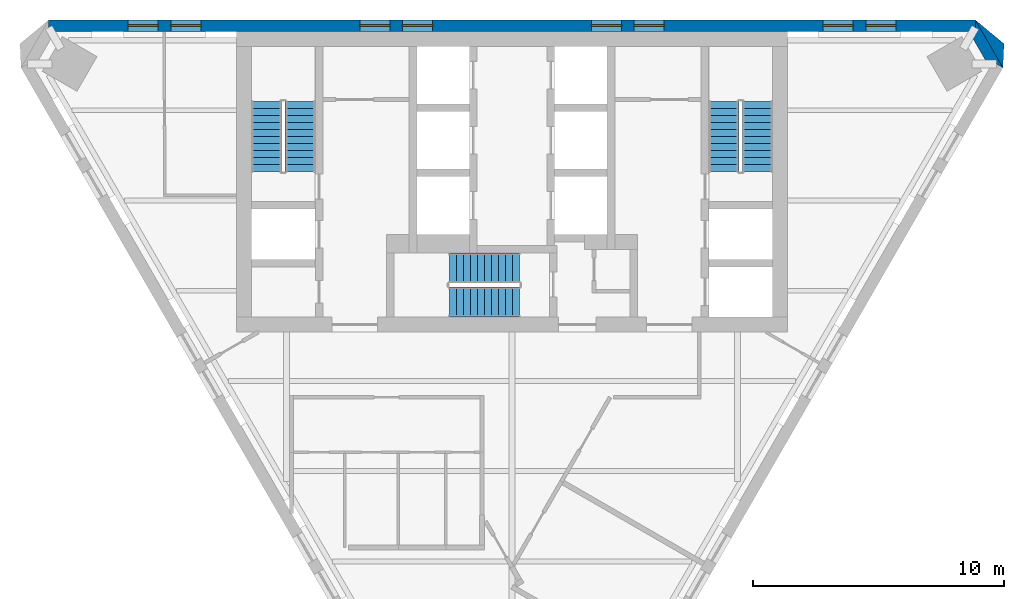
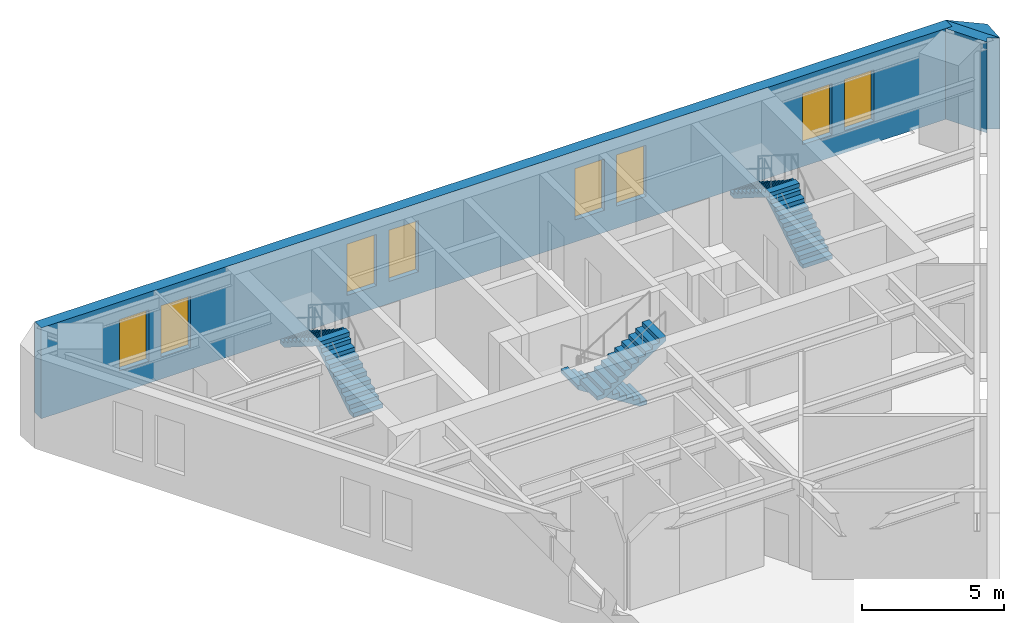
# One storey, part 5 of 6: 8 windows, 6 stair flights, 3 walls, 8 openings, 3 elements without a shape of their own.
"""IFC4 building model written with IfcOpenShell, lengths in metres."""

from ifc_helpers import new_model, si_unit, direction, frame, frame_2d, origin, place, context, subcontext, project, spatial, polyline, rectangle, outline, extrude, material, layer, layer_set, type_object, element, fill, aggregate, save


model = new_model("IFC4")

# Units and contexts
model_context = context("Model", 3, precision=1e-05, world=origin(), true_north=direction((0.0, 1.0)))
body_context = subcontext(model_context, "Body", "Model", "MODEL_VIEW")
ifc_project = project(units=[si_unit("LENGTHUNIT", "METRE"), si_unit("AREAUNIT", "SQUARE_METRE"), si_unit("VOLUMEUNIT", "CUBIC_METRE"), si_unit("PLANEANGLEUNIT", "RADIAN"), si_unit("MASSUNIT", "GRAM", prefix="KILO")], contexts=[model_context])

# Site, building, storey
site_placement = place(None, origin())
site = spatial("IfcSite", under=ifc_project, at=site_placement, CompositionType="ELEMENT")
building_placement = place(site_placement, origin())
building = spatial("IfcBuilding", under=site, at=building_placement, Name="Aloe Facet Convention Tower", CompositionType="ELEMENT")
storey_placement = place(building_placement, frame((0.0, 0.0, 266.0)))
storey = spatial("IfcBuildingStorey", under=building, at=storey_placement, Name="L65", CompositionType="ELEMENT", Elevation=266.0)

# Walls
ifc_material_1 = material(Name="Precast concrete C40/50", Category="concrete")
ifc_layer_1 = layer(ifc_material_1, 0.449951171875)
ifc_layer_set_1 = layer_set([ifc_layer_1], Name="EV-WALL-PIER")
wall_type_1 = type_object("IfcWallType", Name="EV-WALL-PIER", PredefinedType="SOLIDWALL", material=ifc_layer_set_1)
wall_1_placement = place(storey_placement, frame((0.0, 0.0, -0.14990234375)))
element("IfcWall", 1, at=wall_1_placement, inside=storey, type_object=wall_type_1, Name="EP-L65-C", PredefinedType="SOLIDWALL", context=body_context, shape_type="SweptSolid", body=[
    extrude(outline(polyline([(99.586181640625, 133.0947265625), (99.196533203125, 133.31982421875), (99.066650390625, 133.0947265625), (98.226318359375, 134.550048828125), (98.486083984375, 134.550048828125), (98.486083984375, 135.0), (99.586181640625, 133.0947265625)])), origin(), (0.0, 0.0, 1.0), 3.89990234375),
])
ifc_material_2 = material(Name="Precast concrete C40/50", Category="concrete")
ifc_layer_2 = layer(ifc_material_2, 3.947998046875)
ifc_layer_set_2 = layer_set([ifc_layer_2], Name="EV-WALL-SPINE")
wall_type_2 = type_object("IfcWallType", Name="EV-WALL-SPINE", PredefinedType="SOLIDWALL", material=ifc_layer_set_2)
wall_2_placement = place(storey_placement, frame((0.0, 0.0, -0.14990234375)))
element("IfcWall", 2, at=wall_2_placement, inside=storey, type_object=wall_type_2, Name="SP-NE-L65", PredefinedType="SOLIDWALL", context=body_context, shape_type="SweptSolid", body=[
    extrude(outline(polyline([(99.586181640625, 133.0947265625), (99.630126953125, 134.053955078125), (98.486083984375, 135.0), (99.586181640625, 133.0947265625)])), origin(), (0.0, 0.0, 1.0), 3.89990234375),
])

# Wall, openings, windows
ifc_material_3 = material(Name="Precast concrete C40/50", Category="concrete")
ifc_layer_3 = layer(ifc_material_3, 0.449951171875)
ifc_layer_set_3 = layer_set([ifc_layer_3], Name="EV-WALL-STONE")
wall_type_3 = type_object("IfcWallType", Name="EV-WALL-STONE", PredefinedType="SOLIDWALL", material=ifc_layer_set_3)
wall_3_placement = place(storey_placement, frame((98.486083984375, 134.77490234375, -0.14990234375), z_axis=(0.0, 0.0, 1.0), x_axis=(-1.0, 0.0, 0.0)))
wall_3 = element("IfcWall", 3, at=wall_3_placement, inside=storey, type_object=wall_type_3, Name="EW-L65-N01", PredefinedType="SOLIDWALL", context=body_context, shape_type="SweptSolid", body=[
    extrude(outline(polyline([(36.972412109375, 0.0), (36.972412109375, 3.89990234375), (0.0, 3.89990234375), (0.0, 0.0), (36.972412109375, 0.0)])), frame((0.0, 0.22509765625, 0.0), z_axis=(0.0, -1.0, 0.0), x_axis=(1.0, 0.0, 0.0)), (0.0, 0.0, 1.0), 0.449951171875),
])
opening_1_placement = place(wall_3_placement, frame((3.171630859375, 0.0, 0.949951171875)))
opening_1 = element("IfcOpeningElement", 4, at=opening_1_placement, cuts=wall_3, Name="Opening W-L65-N01", PredefinedType="OPENING", context=body_context, shape_type="SweptSolid", body=[
    extrude(rectangle(XDim=1.199951171875, YDim=2.199951171875, at=frame_2d((0.60009765625, 1.10009765625))), frame((0.0, 0.23486328125, 0.0), z_axis=(0.0, -1.0, 0.0), x_axis=(1.0, 0.0, 0.0)), (0.0, 0.0, 1.0), 0.469970703125),
])
opening_2_placement = place(wall_3_placement, frame((4.87158203125, 0.0, 0.949951171875)))
opening_2 = element("IfcOpeningElement", 5, at=opening_2_placement, cuts=wall_3, Name="Opening W-L65-N02", PredefinedType="OPENING", context=body_context, shape_type="SweptSolid", body=[
    extrude(rectangle(XDim=1.199951171875, YDim=2.199951171875, at=frame_2d((0.60009765625, 1.10009765625))), frame((0.0, 0.23486328125, 0.0), z_axis=(0.0, -1.0, 0.0), x_axis=(1.0, 0.0, 0.0)), (0.0, 0.0, 1.0), 0.469970703125),
])
opening_3_placement = place(wall_3_placement, frame((12.41455078125, 0.0, 0.949951171875)))
opening_3 = element("IfcOpeningElement", 6, at=opening_3_placement, cuts=wall_3, Name="Opening W-L65-N03", PredefinedType="OPENING", context=body_context, shape_type="SweptSolid", body=[
    extrude(rectangle(XDim=1.199951171875, YDim=2.199951171875, at=frame_2d((0.60009765625, 1.10009765625))), frame((0.0, 0.23486328125, 0.0), z_axis=(0.0, -1.0, 0.0), x_axis=(1.0, 0.0, 0.0)), (0.0, 0.0, 1.0), 0.469970703125),
])
opening_4_placement = place(wall_3_placement, frame((14.114501953125, 0.0, 0.949951171875)))
opening_4 = element("IfcOpeningElement", 7, at=opening_4_placement, cuts=wall_3, Name="Opening W-L65-N04", PredefinedType="OPENING", context=body_context, shape_type="SweptSolid", body=[
    extrude(rectangle(XDim=1.199951171875, YDim=2.199951171875, at=frame_2d((0.60009765625, 1.10009765625))), frame((0.0, 0.23486328125, 0.0), z_axis=(0.0, -1.0, 0.0), x_axis=(1.0, 0.0, 0.0)), (0.0, 0.0, 1.0), 0.469970703125),
])
opening_5_placement = place(wall_3_placement, frame((21.65771484375, 0.0, 0.949951171875)))
opening_5 = element("IfcOpeningElement", 8, at=opening_5_placement, cuts=wall_3, Name="Opening W-L65-N05", PredefinedType="OPENING", context=body_context, shape_type="SweptSolid", body=[
    extrude(rectangle(XDim=1.199951171875, YDim=2.199951171875, at=frame_2d((0.60009765625, 1.10009765625))), frame((0.0, 0.23486328125, 0.0), z_axis=(0.0, -1.0, 0.0), x_axis=(1.0, 0.0, 0.0)), (0.0, 0.0, 1.0), 0.469970703125),
])
opening_6_placement = place(wall_3_placement, frame((23.357666015625, 0.0, 0.949951171875)))
opening_6 = element("IfcOpeningElement", 9, at=opening_6_placement, cuts=wall_3, Name="Opening W-L65-N06", PredefinedType="OPENING", context=body_context, shape_type="SweptSolid", body=[
    extrude(rectangle(XDim=1.199951171875, YDim=2.199951171875, at=frame_2d((0.60009765625, 1.10009765625))), frame((0.0, 0.23486328125, 0.0), z_axis=(0.0, -1.0, 0.0), x_axis=(1.0, 0.0, 0.0)), (0.0, 0.0, 1.0), 0.469970703125),
])
opening_7_placement = place(wall_3_placement, frame((30.90087890625, 0.0, 0.949951171875)))
opening_7 = element("IfcOpeningElement", 10, at=opening_7_placement, cuts=wall_3, Name="Opening W-L65-N07", PredefinedType="OPENING", context=body_context, shape_type="SweptSolid", body=[
    extrude(rectangle(XDim=1.199951171875, YDim=2.199951171875, at=frame_2d((0.60009765625, 1.10009765625))), frame((0.0, 0.23486328125, 0.0), z_axis=(0.0, -1.0, 0.0), x_axis=(1.0, 0.0, 0.0)), (0.0, 0.0, 1.0), 0.469970703125),
])
opening_8_placement = place(wall_3_placement, frame((32.600830078125, 0.0, 0.949951171875)))
opening_8 = element("IfcOpeningElement", 11, at=opening_8_placement, cuts=wall_3, Name="Opening W-L65-N08", PredefinedType="OPENING", context=body_context, shape_type="SweptSolid", body=[
    extrude(rectangle(XDim=1.199951171875, YDim=2.199951171875, at=frame_2d((0.60009765625, 1.10009765625))), frame((0.0, 0.23486328125, 0.0), z_axis=(0.0, -1.0, 0.0), x_axis=(1.0, 0.0, 0.0)), (0.0, 0.0, 1.0), 0.469970703125),
])
ifc_material_4 = material(Name="Aluminium frame, clear double glazing", Category="aluminium")
window_type = type_object("IfcWindowType", Name="EV-WIN-O12", PartitioningType="SINGLE_PANEL", PredefinedType="WINDOW", material=ifc_material_4)
window_1_placement = place(opening_1_placement, origin())
window_1 = element("IfcWindow", 12, at=window_1_placement, inside=storey, type_object=window_type, Name="W-L65-N01", OverallHeight=2.199951171875, OverallWidth=1.199951171875, PartitioningType="SINGLE_PANEL", PredefinedType="WINDOW", context=body_context, shape_type="SweptSolid", body=[
    extrude(rectangle(XDim=1.199951171875, YDim=2.199951171875, at=frame_2d((0.60009765625, 1.10009765625))), frame((0.0, 0.030029296875, 0.0), z_axis=(0.0, -1.0, 0.0), x_axis=(1.0, 0.0, 0.0)), (0.0, 0.0, 1.0), 0.06005859375),
])
fill(opening_1, window_1)
window_2_placement = place(opening_2_placement, origin())
window_2 = element("IfcWindow", 13, at=window_2_placement, inside=storey, type_object=window_type, Name="W-L65-N02", OverallHeight=2.199951171875, OverallWidth=1.199951171875, PartitioningType="SINGLE_PANEL", PredefinedType="WINDOW", context=body_context, shape_type="SweptSolid", body=[
    extrude(rectangle(XDim=1.199951171875, YDim=2.199951171875, at=frame_2d((0.60009765625, 1.10009765625))), frame((0.0, 0.030029296875, 0.0), z_axis=(0.0, -1.0, 0.0), x_axis=(1.0, 0.0, 0.0)), (0.0, 0.0, 1.0), 0.06005859375),
])
fill(opening_2, window_2)
window_3_placement = place(opening_3_placement, origin())
window_3 = element("IfcWindow", 14, at=window_3_placement, inside=storey, type_object=window_type, Name="W-L65-N03", OverallHeight=2.199951171875, OverallWidth=1.199951171875, PartitioningType="SINGLE_PANEL", PredefinedType="WINDOW", context=body_context, shape_type="SweptSolid", body=[
    extrude(rectangle(XDim=1.199951171875, YDim=2.199951171875, at=frame_2d((0.60009765625, 1.10009765625))), frame((0.0, 0.030029296875, 0.0), z_axis=(0.0, -1.0, 0.0), x_axis=(1.0, 0.0, 0.0)), (0.0, 0.0, 1.0), 0.06005859375),
])
fill(opening_3, window_3)
window_4_placement = place(opening_4_placement, origin())
window_4 = element("IfcWindow", 15, at=window_4_placement, inside=storey, type_object=window_type, Name="W-L65-N04", OverallHeight=2.199951171875, OverallWidth=1.199951171875, PartitioningType="SINGLE_PANEL", PredefinedType="WINDOW", context=body_context, shape_type="SweptSolid", body=[
    extrude(rectangle(XDim=1.199951171875, YDim=2.199951171875, at=frame_2d((0.60009765625, 1.10009765625))), frame((0.0, 0.030029296875, 0.0), z_axis=(0.0, -1.0, 0.0), x_axis=(1.0, 0.0, 0.0)), (0.0, 0.0, 1.0), 0.06005859375),
])
fill(opening_4, window_4)
window_5_placement = place(opening_5_placement, origin())
window_5 = element("IfcWindow", 16, at=window_5_placement, inside=storey, type_object=window_type, Name="W-L65-N05", OverallHeight=2.199951171875, OverallWidth=1.199951171875, PartitioningType="SINGLE_PANEL", PredefinedType="WINDOW", context=body_context, shape_type="SweptSolid", body=[
    extrude(rectangle(XDim=1.199951171875, YDim=2.199951171875, at=frame_2d((0.60009765625, 1.10009765625))), frame((0.0, 0.030029296875, 0.0), z_axis=(0.0, -1.0, 0.0), x_axis=(1.0, 0.0, 0.0)), (0.0, 0.0, 1.0), 0.06005859375),
])
fill(opening_5, window_5)
window_6_placement = place(opening_6_placement, origin())
window_6 = element("IfcWindow", 17, at=window_6_placement, inside=storey, type_object=window_type, Name="W-L65-N06", OverallHeight=2.199951171875, OverallWidth=1.199951171875, PartitioningType="SINGLE_PANEL", PredefinedType="WINDOW", context=body_context, shape_type="SweptSolid", body=[
    extrude(rectangle(XDim=1.199951171875, YDim=2.199951171875, at=frame_2d((0.60009765625, 1.10009765625))), frame((0.0, 0.030029296875, 0.0), z_axis=(0.0, -1.0, 0.0), x_axis=(1.0, 0.0, 0.0)), (0.0, 0.0, 1.0), 0.06005859375),
])
fill(opening_6, window_6)
window_7_placement = place(opening_7_placement, origin())
window_7 = element("IfcWindow", 18, at=window_7_placement, inside=storey, type_object=window_type, Name="W-L65-N07", OverallHeight=2.199951171875, OverallWidth=1.199951171875, PartitioningType="SINGLE_PANEL", PredefinedType="WINDOW", context=body_context, shape_type="SweptSolid", body=[
    extrude(rectangle(XDim=1.199951171875, YDim=2.199951171875, at=frame_2d((0.60009765625, 1.10009765625))), frame((0.0, 0.030029296875, 0.0), z_axis=(0.0, -1.0, 0.0), x_axis=(1.0, 0.0, 0.0)), (0.0, 0.0, 1.0), 0.06005859375),
])
fill(opening_7, window_7)
window_8_placement = place(opening_8_placement, origin())
window_8 = element("IfcWindow", 19, at=window_8_placement, inside=storey, type_object=window_type, Name="W-L65-N08", OverallHeight=2.199951171875, OverallWidth=1.199951171875, PartitioningType="SINGLE_PANEL", PredefinedType="WINDOW", context=body_context, shape_type="SweptSolid", body=[
    extrude(rectangle(XDim=1.199951171875, YDim=2.199951171875, at=frame_2d((0.60009765625, 1.10009765625))), frame((0.0, 0.030029296875, 0.0), z_axis=(0.0, -1.0, 0.0), x_axis=(1.0, 0.0, 0.0)), (0.0, 0.0, 1.0), 0.06005859375),
])
fill(opening_8, window_8)

# Stair, stair flights
ifc_material_5 = material(Name="Concrete C50/60", Category="concrete")
stair_type = type_object("IfcStairType", Name="CR-ST-22R", PredefinedType="HALF_TURN_STAIR", material=ifc_material_5)
stair_1_placement = place(storey_placement, origin())
stair_1 = element("IfcStair", 20, at=stair_1_placement, inside=storey, type_object=stair_type, Name="L65 Protected exit stair ST1", PredefinedType="HALF_TURN_STAIR")
ifc_material_6 = material(Name="Concrete C50/60", Category="concrete")
stair_flight_type = type_object("IfcStairFlightType", Name="CR-SFL-22R", PredefinedType="STRAIGHT", material=ifc_material_6)
stair_flight_1_placement = place(storey_placement, frame((71.550048828125, 128.949951171875, 0.0), z_axis=(0.0, 0.0, 1.0), x_axis=(0.0, 1.0, 0.0)))
stair_flight_1 = element("IfcStairFlight", 21, at=stair_flight_1_placement, type_object=stair_flight_type, Name="ST1 flight 1", NumberOfRisers=11, NumberOfTreads=10, PredefinedType="STRAIGHT", RiserHeight=0.177272727, TreadLength=0.28, context=body_context, shape_type="SweptSolid", body=[
    extrude(outline(polyline([(0.0, 0.0), (0.0, 0.17724609375), (0.280029296875, 0.17724609375), (0.280029296875, 0.3544921875), (0.56005859375, 0.3544921875), (0.56005859375, 0.53173828125), (0.840087890625, 0.53173828125), (0.840087890625, 0.708984375), (1.1201171875, 0.708984375), (1.1201171875, 0.886474609375), (1.39990234375, 0.886474609375), (1.39990234375, 1.063720703125), (1.679931640625, 1.063720703125), (1.679931640625, 1.240966796875), (1.9599609375, 1.240966796875), (1.9599609375, 1.418212890625), (2.239990234375, 1.418212890625), (2.239990234375, 1.595458984375), (2.52001953125, 1.595458984375), (2.52001953125, 1.772705078125), (2.800048828125, 1.772705078125), (2.800048828125, 1.949951171875), (2.800048828125, 1.59521484375), (0.2802734375, 0.0), (0.0, 0.0)])), frame((0.0, 0.60009765625, 0.0), z_axis=(0.0, -1.0, 0.0), x_axis=(1.0, 0.0, 0.0)), (0.0, 0.0, 1.0), 1.199951171875),
])
stair_flight_2_placement = place(storey_placement, frame((70.199951171875, 131.75, 1.949951171875), z_axis=(0.0, 0.0, 1.0), x_axis=(0.0, -1.0, 0.0)))
stair_flight_2 = element("IfcStairFlight", 22, at=stair_flight_2_placement, type_object=stair_flight_type, Name="ST1 flight 2", NumberOfRisers=11, NumberOfTreads=10, PredefinedType="STRAIGHT", RiserHeight=0.177272727, TreadLength=0.28, context=body_context, shape_type="SweptSolid", body=[
    extrude(outline(polyline([(0.0, 0.0), (0.0, 0.17724609375), (0.280029296875, 0.17724609375), (0.280029296875, 0.3544921875), (0.56005859375, 0.3544921875), (0.56005859375, 0.53173828125), (0.840087890625, 0.53173828125), (0.840087890625, 0.708984375), (1.1201171875, 0.708984375), (1.1201171875, 0.886474609375), (1.39990234375, 0.886474609375), (1.39990234375, 1.063720703125), (1.679931640625, 1.063720703125), (1.679931640625, 1.240966796875), (1.9599609375, 1.240966796875), (1.9599609375, 1.418212890625), (2.239990234375, 1.418212890625), (2.239990234375, 1.595458984375), (2.52001953125, 1.595458984375), (2.52001953125, 1.772705078125), (2.800048828125, 1.772705078125), (2.800048828125, 1.949951171875), (2.800048828125, 1.59521484375), (0.2802734375, 0.0), (0.0, 0.0)])), frame((0.0, 0.60009765625, 0.0), z_axis=(0.0, -1.0, 0.0), x_axis=(1.0, 0.0, 0.0)), (0.0, 0.0, 1.0), 1.199951171875),
])
aggregate(stair_1, [stair_flight_1, stair_flight_2])

stair_2_placement = place(storey_placement, origin())
stair_2 = element("IfcStair", 23, at=stair_2_placement, inside=storey, type_object=stair_type, Name="L65 Protected exit stair ST2", PredefinedType="HALF_TURN_STAIR")
stair_flight_3_placement = place(storey_placement, frame((89.800048828125, 128.949951171875, 0.0), z_axis=(0.0, 0.0, 1.0), x_axis=(0.0, 1.0, 0.0)))
stair_flight_3 = element("IfcStairFlight", 24, at=stair_flight_3_placement, type_object=stair_flight_type, Name="ST2 flight 1", NumberOfRisers=11, NumberOfTreads=10, PredefinedType="STRAIGHT", RiserHeight=0.177272727, TreadLength=0.28, context=body_context, shape_type="SweptSolid", body=[
    extrude(outline(polyline([(0.0, 0.0), (0.0, 0.17724609375), (0.280029296875, 0.17724609375), (0.280029296875, 0.3544921875), (0.56005859375, 0.3544921875), (0.56005859375, 0.53173828125), (0.840087890625, 0.53173828125), (0.840087890625, 0.708984375), (1.1201171875, 0.708984375), (1.1201171875, 0.886474609375), (1.39990234375, 0.886474609375), (1.39990234375, 1.063720703125), (1.679931640625, 1.063720703125), (1.679931640625, 1.240966796875), (1.9599609375, 1.240966796875), (1.9599609375, 1.418212890625), (2.239990234375, 1.418212890625), (2.239990234375, 1.595458984375), (2.52001953125, 1.595458984375), (2.52001953125, 1.772705078125), (2.800048828125, 1.772705078125), (2.800048828125, 1.949951171875), (2.800048828125, 1.59521484375), (0.2802734375, 0.0), (0.0, 0.0)])), frame((0.0, 0.60009765625, 0.0), z_axis=(0.0, -1.0, 0.0), x_axis=(1.0, 0.0, 0.0)), (0.0, 0.0, 1.0), 1.199951171875),
])
stair_flight_4_placement = place(storey_placement, frame((88.449951171875, 131.75, 1.949951171875), z_axis=(0.0, 0.0, 1.0), x_axis=(0.0, -1.0, 0.0)))
stair_flight_4 = element("IfcStairFlight", 25, at=stair_flight_4_placement, type_object=stair_flight_type, Name="ST2 flight 2", NumberOfRisers=11, NumberOfTreads=10, PredefinedType="STRAIGHT", RiserHeight=0.177272727, TreadLength=0.28, context=body_context, shape_type="SweptSolid", body=[
    extrude(outline(polyline([(0.0, 0.0), (0.0, 0.17724609375), (0.280029296875, 0.17724609375), (0.280029296875, 0.3544921875), (0.56005859375, 0.3544921875), (0.56005859375, 0.53173828125), (0.840087890625, 0.53173828125), (0.840087890625, 0.708984375), (1.1201171875, 0.708984375), (1.1201171875, 0.886474609375), (1.39990234375, 0.886474609375), (1.39990234375, 1.063720703125), (1.679931640625, 1.063720703125), (1.679931640625, 1.240966796875), (1.9599609375, 1.240966796875), (1.9599609375, 1.418212890625), (2.239990234375, 1.418212890625), (2.239990234375, 1.595458984375), (2.52001953125, 1.595458984375), (2.52001953125, 1.772705078125), (2.800048828125, 1.772705078125), (2.800048828125, 1.949951171875), (2.800048828125, 1.59521484375), (0.2802734375, 0.0), (0.0, 0.0)])), frame((0.0, 0.60009765625, 0.0), z_axis=(0.0, -1.0, 0.0), x_axis=(1.0, 0.0, 0.0)), (0.0, 0.0, 1.0), 1.199951171875),
])
aggregate(stair_2, [stair_flight_3, stair_flight_4])

stair_3_placement = place(storey_placement, origin())
stair_3 = element("IfcStair", 26, at=stair_3_placement, inside=storey, type_object=stair_type, Name="L65 Protected exit stair ST3", PredefinedType="HALF_TURN_STAIR")
stair_flight_5_placement = place(storey_placement, frame((80.300048828125, 125.10009765625, 0.0), z_axis=(0.0, 0.0, 1.0), x_axis=(-1.0, 0.0, 0.0)))
stair_flight_5 = element("IfcStairFlight", 27, at=stair_flight_5_placement, type_object=stair_flight_type, Name="ST3 flight 1", NumberOfRisers=11, NumberOfTreads=10, PredefinedType="STRAIGHT", RiserHeight=0.177272727, TreadLength=0.28, context=body_context, shape_type="SweptSolid", body=[
    extrude(outline(polyline([(0.0, 0.0), (0.0, 0.17724609375), (0.280029296875, 0.17724609375), (0.280029296875, 0.3544921875), (0.56005859375, 0.3544921875), (0.56005859375, 0.53173828125), (0.840087890625, 0.53173828125), (0.840087890625, 0.708984375), (1.1201171875, 0.708984375), (1.1201171875, 0.886474609375), (1.39990234375, 0.886474609375), (1.39990234375, 1.063720703125), (1.679931640625, 1.063720703125), (1.679931640625, 1.240966796875), (1.9599609375, 1.240966796875), (1.9599609375, 1.418212890625), (2.239990234375, 1.418212890625), (2.239990234375, 1.595458984375), (2.52001953125, 1.595458984375), (2.52001953125, 1.772705078125), (2.800048828125, 1.772705078125), (2.800048828125, 1.949951171875), (2.800048828125, 1.59521484375), (0.2802734375, 0.0), (0.0, 0.0)])), frame((0.0, 0.60009765625, 0.0), z_axis=(0.0, -1.0, 0.0), x_axis=(1.0, 0.0, 0.0)), (0.0, 0.0, 1.0), 1.199951171875),
])
stair_flight_6_placement = place(storey_placement, frame((77.5, 123.75, 1.949951171875), z_axis=(0.0, 0.0, 1.0), x_axis=(1.0, 0.0, 0.0)))
stair_flight_6 = element("IfcStairFlight", 28, at=stair_flight_6_placement, type_object=stair_flight_type, Name="ST3 flight 2", NumberOfRisers=11, NumberOfTreads=10, PredefinedType="STRAIGHT", RiserHeight=0.177272727, TreadLength=0.28, context=body_context, shape_type="SweptSolid", body=[
    extrude(outline(polyline([(0.0, 0.0), (0.0, 0.17724609375), (0.280029296875, 0.17724609375), (0.280029296875, 0.3544921875), (0.56005859375, 0.3544921875), (0.56005859375, 0.53173828125), (0.840087890625, 0.53173828125), (0.840087890625, 0.708984375), (1.1201171875, 0.708984375), (1.1201171875, 0.886474609375), (1.39990234375, 0.886474609375), (1.39990234375, 1.063720703125), (1.679931640625, 1.063720703125), (1.679931640625, 1.240966796875), (1.9599609375, 1.240966796875), (1.9599609375, 1.418212890625), (2.239990234375, 1.418212890625), (2.239990234375, 1.595458984375), (2.52001953125, 1.595458984375), (2.52001953125, 1.772705078125), (2.800048828125, 1.772705078125), (2.800048828125, 1.949951171875), (2.800048828125, 1.59521484375), (0.2802734375, 0.0), (0.0, 0.0)])), frame((0.0, 0.60009765625, 0.0), z_axis=(0.0, -1.0, 0.0), x_axis=(1.0, 0.0, 0.0)), (0.0, 0.0, 1.0), 1.199951171875),
])
aggregate(stair_3, [stair_flight_5, stair_flight_6])

save(model, "model.ifc")
